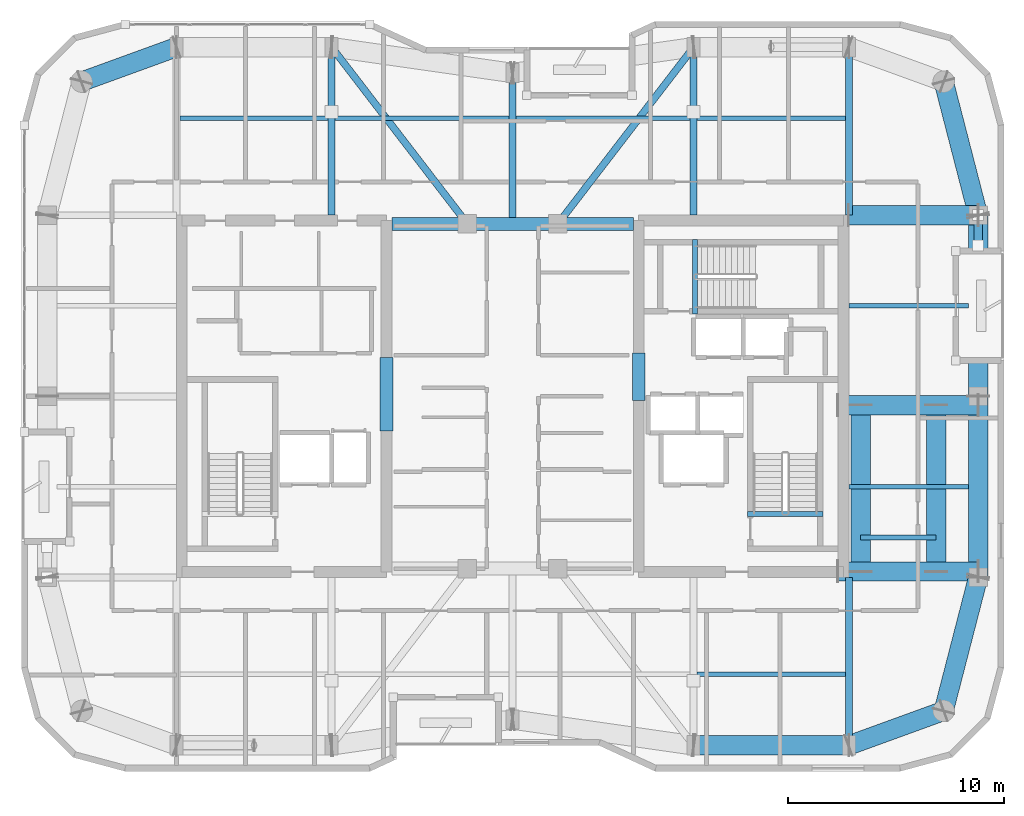
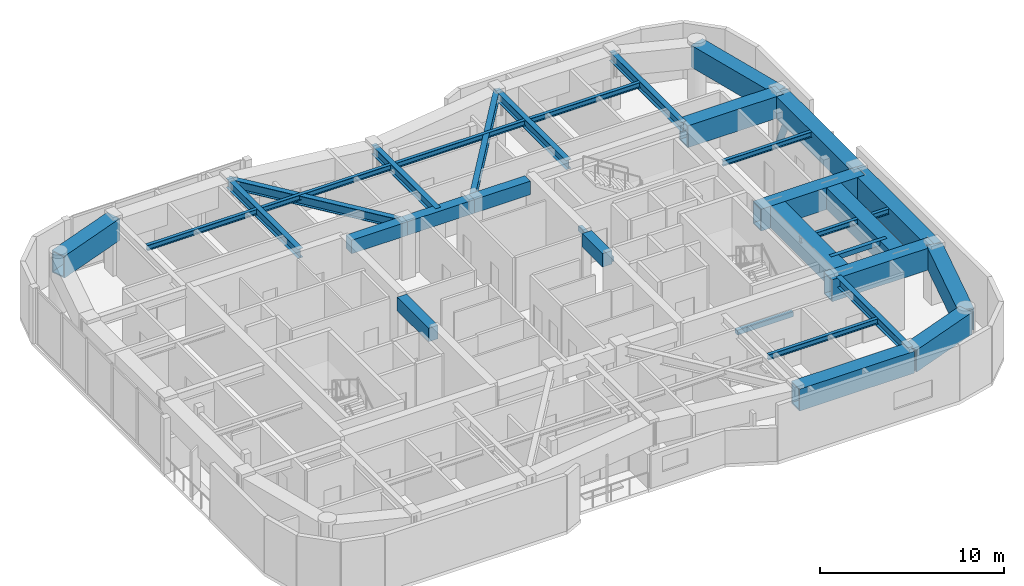
# One storey, part 5 of 16: 34 beams, 1 member.
"""IFC4 building model written with IfcOpenShell, lengths in metres."""

from ifc_helpers import new_model, si_unit, direction, frame, origin, origin_2d, place, context, subcontext, project, spatial, rectangle, hollow_rectangle, hollow_circle, i_section, extrude, material, material_profile, profile_set, type_object, element, save


model = new_model("IFC4")

# Units and contexts
model_context = context("Model", 3, precision=1e-05, world=origin(), true_north=direction((0.0, 1.0)))
body_context = subcontext(model_context, "Body", "Model", "MODEL_VIEW")
ifc_project = project(units=[si_unit("LENGTHUNIT", "METRE"), si_unit("AREAUNIT", "SQUARE_METRE"), si_unit("VOLUMEUNIT", "CUBIC_METRE"), si_unit("PLANEANGLEUNIT", "RADIAN"), si_unit("MASSUNIT", "GRAM", prefix="KILO")], contexts=[model_context])

# Site, building, storey
site_placement = place(None, origin())
site = spatial("IfcSite", under=ifc_project, at=site_placement, CompositionType="ELEMENT")
building_placement = place(site_placement, origin())
building = spatial("IfcBuilding", under=site, at=building_placement, Name="Kiyonajd Concourse Tower", CompositionType="ELEMENT")
storey_placement = place(building_placement, frame((0.0, 0.0, 346.5)))
storey = spatial("IfcBuildingStorey", under=building, at=storey_placement, Name="L87", CompositionType="ELEMENT", Elevation=346.5)

# Beams
ifc_material_1 = material(Name="Concrete C60/75", Category="concrete")
ifc_material_profile_1 = material_profile(ifc_material_1, rectangle(XDim=0.60009765625, YDim=0.89990234375, at=origin_2d()), Name="RCBM-600x900")
ifc_profile_set_1 = profile_set([ifc_material_profile_1], Name="Concrete C60/75")
beam_type_1 = type_object("IfcBeamType", Name="BM-COUP-900", PredefinedType="LINTEL", material=ifc_profile_set_1)
beam_1_placement = place(storey_placement, frame((42.39990234375, 44.0, 3.22998046875), z_axis=(1.0, 0.0, 0.0), x_axis=(0.0, 1.0, 0.0)))
element("IfcBeam", 1, at=beam_1_placement, inside=storey, type_object=beam_type_1, Name="L87 Core Coupling Beam N1", PredefinedType="LINTEL", context=body_context, shape_type="SweptSolid", body=[
    extrude(rectangle(XDim=0.60009765625, YDim=0.89990234375, at=origin_2d()), origin(), (0.0, 0.0, 1.0), 3.5),
])
beam_2_placement = place(storey_placement, frame((45.89990234375, 44.0, 3.22998046875), z_axis=(1.0, 0.0, 0.0), x_axis=(0.0, 1.0, 0.0)))
element("IfcBeam", 2, at=beam_2_placement, inside=storey, type_object=beam_type_1, Name="L87 Core Coupling Beam N2", PredefinedType="LINTEL", context=body_context, shape_type="SweptSolid", body=[
    extrude(rectangle(XDim=0.60009765625, YDim=0.89990234375, at=origin_2d()), origin(), (0.0, 0.0, 1.0), 4.2001953125),
])
beam_3_placement = place(storey_placement, frame((50.10009765625, 44.0, 3.22998046875), z_axis=(1.0, 0.0, 0.0), x_axis=(0.0, 1.0, 0.0)))
element("IfcBeam", 3, at=beam_3_placement, inside=storey, type_object=beam_type_1, Name="L87 Core Coupling Beam N3", PredefinedType="LINTEL", context=body_context, shape_type="SweptSolid", body=[
    extrude(rectangle(XDim=0.60009765625, YDim=0.89990234375, at=origin_2d()), origin(), (0.0, 0.0, 1.0), 3.5),
])
beam_4_placement = place(storey_placement, frame((42.14990234375, 34.39990234375, 3.22998046875), z_axis=(0.0, 1.0, 0.0), x_axis=(-1.0, 0.0, 0.0)))
element("IfcBeam", 4, at=beam_4_placement, inside=storey, type_object=beam_type_1, Name="L87 West Core Throat Coupling Lintel", PredefinedType="LINTEL", context=body_context, shape_type="SweptSolid", body=[
    extrude(rectangle(XDim=0.60009765625, YDim=0.89990234375, at=origin_2d()), origin(), (0.0, 0.0, 1.0), 3.400146484375),
])
beam_5_placement = place(storey_placement, frame((53.85009765625, 35.800048828125, 3.22998046875), z_axis=(0.0, 1.0, 0.0), x_axis=(-1.0, 0.0, 0.0)))
element("IfcBeam", 5, at=beam_5_placement, inside=storey, type_object=beam_type_1, Name="L87 East Core Throat Coupling Lintel", PredefinedType="LINTEL", context=body_context, shape_type="SweptSolid", body=[
    extrude(rectangle(XDim=0.60009765625, YDim=0.89990234375, at=origin_2d()), origin(), (0.0, 0.0, 1.0), 2.199951171875),
])
ifc_material_2 = material(Name="Steel ASTM A992 Grade 50", Category="steel")
ifc_material_profile_2 = material_profile(ifc_material_2, i_section(OverallWidth=0.205078125, OverallDepth=0.35400390625, WebThickness=0.009521484375, FlangeThickness=0.016845703125, at=origin_2d()), Name="W360X79")
ifc_profile_set_2 = profile_set([ifc_material_profile_2], Name="Steel ASTM A992 Grade 50")
beam_type_2 = type_object("IfcBeamType", Name="BM-JST-360", PredefinedType="JOIST", material=ifc_profile_set_2)
for number, where, z_axis, x_axis, name in (
    (6, (56.56201171875, 23.10009765625, 3.5029296875), (1.0, 0.0, 0.0), (0.0, 1.0, 0.0), "L87 Secondary Floor Joist"),
    (7, (32.56201171875, 48.89990234375, 3.5029296875), (1.0, 0.0, 0.0), (0.0, 1.0, 0.0), "L87 Secondary Floor Joist"),
):
    element("IfcBeam", number, at=place(storey_placement, frame(where, z_axis=z_axis, x_axis=x_axis)), inside=storey, type_object=beam_type_2, Name=name, PredefinedType="JOIST", context=body_context, shape_type="SweptSolid", body=[
        extrude(i_section(OverallWidth=0.205078125, OverallDepth=0.35400390625, WebThickness=0.009521484375, FlangeThickness=0.016845703125, at=origin_2d()), origin(), (0.0, 0.0, 1.0), 6.8759765625),
    ])
for number, where, z_axis, x_axis, name in (
    (8, (39.761962890625, 48.89990234375, 3.5029296875), (1.0, 0.0, 0.0), (0.0, 1.0, 0.0), "L87 Secondary Floor Joist"),
    (9, (48.162109375, 48.89990234375, 3.5029296875), (1.0, 0.0, 0.0), (0.0, 1.0, 0.0), "L87 Secondary Floor Joist"),
):
    element("IfcBeam", number, at=place(storey_placement, frame(where, z_axis=z_axis, x_axis=x_axis)), inside=storey, type_object=beam_type_2, Name=name, PredefinedType="JOIST", context=body_context, shape_type="SweptSolid", body=[
        extrude(i_section(OverallWidth=0.205078125, OverallDepth=0.35400390625, WebThickness=0.009521484375, FlangeThickness=0.016845703125, at=origin_2d()), origin(), (0.0, 0.0, 1.0), 8.075927734375),
    ])
beam_6_placement = place(storey_placement, frame((56.56201171875, 48.89990234375, 3.5029296875), z_axis=(1.0, 0.0, 0.0), x_axis=(0.0, 1.0, 0.0)))
element("IfcBeam", 10, at=beam_6_placement, inside=storey, type_object=beam_type_2, Name="L87 Secondary Floor Joist", PredefinedType="JOIST", context=body_context, shape_type="SweptSolid", body=[
    extrude(i_section(OverallWidth=0.205078125, OverallDepth=0.35400390625, WebThickness=0.009521484375, FlangeThickness=0.016845703125, at=origin_2d()), origin(), (0.0, 0.0, 1.0), 6.8759765625),
])
for number, where, z_axis, x_axis, name in (
    (11, (63.60009765625, 31.800048828125, 3.5029296875), (1.0, 0.0, 0.0), (0.0, 1.0, 0.0), "L87 East Secondary Floor Joist"),
    (12, (63.60009765625, 40.199951171875, 3.5029296875), (1.0, 0.0, 0.0), (0.0, 1.0, 0.0), "L87 East Secondary Floor Joist"),
):
    element("IfcBeam", number, at=place(storey_placement, frame(where, z_axis=z_axis, x_axis=x_axis)), inside=storey, type_object=beam_type_2, Name=name, PredefinedType="JOIST", context=body_context, shape_type="SweptSolid", body=[
        extrude(i_section(OverallWidth=0.205078125, OverallDepth=0.35400390625, WebThickness=0.009521484375, FlangeThickness=0.016845703125, at=origin_2d()), origin(), (0.0, 0.0, 1.0), 5.5498046875),
    ])
ifc_material_3 = material(Name="Concrete C50/60", Category="concrete")
ifc_material_profile_3 = material_profile(ifc_material_3, rectangle(XDim=0.239990234375, YDim=0.320068359375, at=origin_2d()), Name="RCBM-240x320")
ifc_profile_set_3 = profile_set([ifc_material_profile_3], Name="Concrete C50/60")
beam_type_3 = type_object("IfcBeamType", Name="BM-LNT-250", PredefinedType="LINTEL", material=ifc_profile_set_3)
beam_7_placement = place(storey_placement, frame((58.889892578125, 30.530029296875, -0.159912109375), z_axis=(1.0, 0.0, 0.0), x_axis=(0.0, 1.0, 0.0)))
element("IfcBeam", 13, at=beam_7_placement, inside=storey, type_object=beam_type_3, Name="L87 Stair ST2 Threshold Support Beam", PredefinedType="LINTEL", context=body_context, shape_type="SweptSolid", body=[
    extrude(rectangle(XDim=0.239990234375, YDim=0.320068359375, at=origin_2d()), origin(), (0.0, 0.0, 1.0), 3.52001953125),
])
beam_8_placement = place(storey_placement, frame((56.4599609375, 39.820068359375, -0.159912109375), z_axis=(0.0, 1.0, 0.0), x_axis=(-1.0, 0.0, 0.0)))
element("IfcBeam", 14, at=beam_8_placement, inside=storey, type_object=beam_type_3, Name="L87 Stair ST3 Threshold Support Beam", PredefinedType="LINTEL", context=body_context, shape_type="SweptSolid", body=[
    extrude(rectangle(XDim=0.239990234375, YDim=0.320068359375, at=origin_2d()), origin(), (0.0, 0.0, 1.0), 3.4599609375),
])
beam_9_placement = place(storey_placement, frame((64.14990234375, 29.449951171875, 3.52001953125), z_axis=(1.0, 0.0, 0.0), x_axis=(0.0, 1.0, 0.0)))
element("IfcBeam", 15, at=beam_9_placement, inside=storey, type_object=beam_type_3, Name="L88 Stair ST6 Departure Support Beam", PredefinedType="LINTEL", context=body_context, shape_type="SweptSolid", body=[
    extrude(rectangle(XDim=0.239990234375, YDim=0.320068359375, at=origin_2d()), origin(), (0.0, 0.0, 1.0), 3.5),
])
ifc_material_profile_4 = material_profile(ifc_material_2, i_section(OverallWidth=0.326904296875, OverallDepth=0.6220703125, WebThickness=0.015380859375, FlangeThickness=0.0244140625, at=origin_2d()), Name="W610X195")
ifc_profile_set_4 = profile_set([ifc_material_profile_4], Name="Steel ASTM A992 Grade 50")
beam_type_4 = type_object("IfcBeamType", Name="BM-TWR-610A", PredefinedType="BEAM", material=ifc_profile_set_4)
for number, where, z_axis, x_axis, name in (
    (16, (39.60009765625, 52.199951171875, 3.368896484375), (0.609233709922, -0.792990722956, 0.0), (0.792990722956, 0.609233709922, 0.0), "L87 Core Tie Girder"),
    (17, (50.10009765625, 44.0, 3.368896484375), (0.609233709922, 0.792990722956, 0.0), (-0.792990722956, 0.609233709922, 0.0), "L87 Core Tie Girder"),
):
    element("IfcBeam", number, at=place(storey_placement, frame(where, z_axis=z_axis, x_axis=x_axis)), inside=storey, type_object=beam_type_4, Name=name, PredefinedType="BEAM", context=body_context, shape_type="SweptSolid", body=[
        extrude(i_section(OverallWidth=0.326904296875, OverallDepth=0.6220703125, WebThickness=0.015380859375, FlangeThickness=0.0244140625, at=origin_2d()), origin(), (0.0, 0.0, 1.0), 10.340576171875),
    ])
ifc_material_profile_5 = material_profile(ifc_material_2, i_section(OverallWidth=0.323974609375, OverallDepth=0.611083984375, WebThickness=0.0126953125, FlangeThickness=0.01904296875, at=origin_2d()), Name="W610X155")
ifc_profile_set_5 = profile_set([ifc_material_profile_5], Name="Steel ASTM A992 Grade 50")
beam_type_5 = type_object("IfcBeamType", Name="BM-TWR-610B", PredefinedType="BEAM", material=ifc_profile_set_5)
for number, where, z_axis, x_axis, name in (
    (18, (39.60009765625, 44.39990234375, 3.37451171875), (0.0, 1.0, 0.0), (-1.0, 0.0, 0.0), "L87 North Lease Girder"),
    (19, (56.39990234375, 44.39990234375, 3.37451171875), (0.0, 1.0, 0.0), (-1.0, 0.0, 0.0), "L87 North Lease Girder"),
    (20, (63.60009765625, 19.800048828125, 3.37451171875), (0.0, 1.0, 0.0), (-1.0, 0.0, 0.0), "L87 South Lease Girder"),
    (21, (63.60009765625, 44.39990234375, 3.37451171875), (0.0, 1.0, 0.0), (-1.0, 0.0, 0.0), "L87 North Lease Girder"),
):
    element("IfcBeam", number, at=place(storey_placement, frame(where, z_axis=z_axis, x_axis=x_axis)), inside=storey, type_object=beam_type_5, Name=name, PredefinedType="BEAM", context=body_context, shape_type="SweptSolid", body=[
        extrude(i_section(OverallWidth=0.323974609375, OverallDepth=0.611083984375, WebThickness=0.0126953125, FlangeThickness=0.01904296875, at=origin_2d()), origin(), (0.0, 0.0, 1.0), 7.800048828125),
    ])
beam_10_placement = place(storey_placement, frame((48.0, 44.0, 3.37451171875), z_axis=(0.0, 1.0, 0.0), x_axis=(-1.0, 0.0, 0.0)))
element("IfcBeam", 22, at=beam_10_placement, inside=storey, type_object=beam_type_5, Name="L87 North Ribbon Girder", PredefinedType="BEAM", context=body_context, shape_type="SweptSolid", body=[
    extrude(i_section(OverallWidth=0.323974609375, OverallDepth=0.611083984375, WebThickness=0.0126953125, FlangeThickness=0.01904296875, at=origin_2d()), origin(), (0.0, 0.0, 1.0), 7.0),
])
ifc_material_4 = material(Name="Steel ASTM A572 Grade 50", Category="steel")
ifc_material_profile_6 = material_profile(ifc_material_4, hollow_rectangle(XDim=0.89990234375, YDim=1.449951171875, WallThickness=0.074951171875, at=origin_2d()), Name="BOX-1450x900x75")
ifc_profile_set_6 = profile_set([ifc_material_profile_6], Name="Steel ASTM A572 Grade 50")
beam_type_6 = type_object("IfcBeamType", Name="BM-XFER-1800", PredefinedType="BEAM", material=ifc_profile_set_6)
beam_11_placement = place(storey_placement, frame((69.60009765625, 27.60009765625, 2.955078125), z_axis=(0.0, 1.0, 0.0), x_axis=(-1.0, 0.0, 0.0)))
element("IfcBeam", 23, at=beam_11_placement, inside=storey, type_object=beam_type_6, Name="L87 Stair ST6 East Column Header Girder", PredefinedType="BEAM", context=body_context, shape_type="SweptSolid", body=[
    extrude(hollow_rectangle(XDim=0.89990234375, YDim=1.449951171875, WallThickness=0.074951171875, at=origin_2d()), origin(), (0.0, 0.0, 1.0), 8.39990234375),
])
for number, where, z_axis, x_axis, name in (
    (24, (63.10009765625, 27.8701171875, 2.955078125), (1.0, 0.0, 0.0), (0.0, 1.0, 0.0), "L87 Stair ST6 South Transfer Girder"),
    (25, (63.10009765625, 35.580078125, 2.955078125), (1.0, 0.0, 0.0), (0.0, 1.0, 0.0), "L87 Stair ST6 North Transfer Girder"),
):
    element("IfcBeam", number, at=place(storey_placement, frame(where, z_axis=z_axis, x_axis=x_axis)), inside=storey, type_object=beam_type_6, Name=name, PredefinedType="BEAM", context=body_context, shape_type="SweptSolid", body=[
        extrude(hollow_rectangle(XDim=0.89990234375, YDim=1.449951171875, WallThickness=0.074951171875, at=origin_2d()), origin(), (0.0, 0.0, 1.0), 6.5),
    ])
for number, where, z_axis, x_axis, name in (
    (26, (64.14990234375, 27.8701171875, 2.955078125), (0.0, 1.0, 0.0), (-1.0, 0.0, 0.0), "L87 Stair ST6 West Wall Transfer Girder"),
    (27, (67.64990234375, 27.8701171875, 2.955078125), (0.0, 1.0, 0.0), (-1.0, 0.0, 0.0), "L87 Stair ST6 East Wall Transfer Girder"),
):
    element("IfcBeam", number, at=place(storey_placement, frame(where, z_axis=z_axis, x_axis=x_axis)), inside=storey, type_object=beam_type_6, Name=name, PredefinedType="BEAM", context=body_context, shape_type="SweptSolid", body=[
        extrude(hollow_rectangle(XDim=0.89990234375, YDim=1.449951171875, WallThickness=0.074951171875, at=origin_2d()), origin(), (0.0, 0.0, 1.0), 7.7099609375),
    ])
beam_12_placement = place(storey_placement, frame((56.39990234375, 19.800048828125, 2.955078125), z_axis=(1.0, 0.0, 0.0), x_axis=(0.0, 1.0, 0.0)))
element("IfcBeam", 28, at=beam_12_placement, inside=storey, type_object=beam_type_6, Name="L87 Perimeter Bundled Tube Spandrel", PredefinedType="BEAM", context=body_context, shape_type="SweptSolid", body=[
    extrude(hollow_rectangle(XDim=0.89990234375, YDim=1.449951171875, WallThickness=0.074951171875, at=origin_2d()), origin(), (0.0, 0.0, 1.0), 7.2001953125),
])
beam_13_placement = place(storey_placement, frame((63.60009765625, 19.800048828125, 2.955078125), z_axis=(0.939801036019, 0.341722127901, 0.0), x_axis=(-0.341722127901, 0.939801036019, 0.0)))
element("IfcBeam", 29, at=beam_13_placement, inside=storey, type_object=beam_type_6, Name="L87 Perimeter Bundled Tube Spandrel", PredefinedType="BEAM", context=body_context, shape_type="SweptSolid", body=[
    extrude(hollow_rectangle(XDim=0.89990234375, YDim=1.449951171875, WallThickness=0.074951171875, at=origin_2d()), origin(), (0.0, 0.0, 1.0), 4.681640625),
])
beam_14_placement = place(storey_placement, frame((68.0, 21.39990234375, 2.955078125), z_axis=(0.249884937687, 0.968275538221, 0.0), x_axis=(-0.968275538221, 0.249884937687, 0.0)))
element("IfcBeam", 30, at=beam_14_placement, inside=storey, type_object=beam_type_6, Name="L87 Perimeter Bundled Tube Spandrel", PredefinedType="BEAM", context=body_context, shape_type="SweptSolid", body=[
    extrude(hollow_rectangle(XDim=0.89990234375, YDim=1.449951171875, WallThickness=0.074951171875, at=origin_2d()), origin(), (0.0, 0.0, 1.0), 6.4033203125),
])
beam_15_placement = place(storey_placement, frame((69.60009765625, 36.0, 2.955078125), z_axis=(0.0, 1.0, 0.0), x_axis=(-1.0, 0.0, 0.0)))
element("IfcBeam", 31, at=beam_15_placement, inside=storey, type_object=beam_type_6, Name="L87 Perimeter Bundled Tube Spandrel", PredefinedType="BEAM", context=body_context, shape_type="SweptSolid", body=[
    extrude(hollow_rectangle(XDim=0.89990234375, YDim=1.449951171875, WallThickness=0.074951171875, at=origin_2d()), origin(), (0.0, 0.0, 1.0), 8.39990234375),
])
beam_16_placement = place(storey_placement, frame((69.60009765625, 44.39990234375, 2.955078125), z_axis=(-0.249884937687, 0.968275538221, 0.0), x_axis=(-0.968275538221, -0.249884937687, 0.0)))
element("IfcBeam", 32, at=beam_16_placement, inside=storey, type_object=beam_type_6, Name="L87 Perimeter Bundled Tube Spandrel", PredefinedType="BEAM", context=body_context, shape_type="SweptSolid", body=[
    extrude(hollow_rectangle(XDim=0.89990234375, YDim=1.449951171875, WallThickness=0.074951171875, at=origin_2d()), origin(), (0.0, 0.0, 1.0), 6.4033203125),
])
beam_17_placement = place(storey_placement, frame((32.39990234375, 52.199951171875, 2.955078125), z_axis=(-0.939801036019, -0.341722127901, 0.0), x_axis=(0.341722127901, -0.939801036019, 0.0)))
element("IfcBeam", 33, at=beam_17_placement, inside=storey, type_object=beam_type_6, Name="L87 Perimeter Bundled Tube Spandrel", PredefinedType="BEAM", context=body_context, shape_type="SweptSolid", body=[
    extrude(hollow_rectangle(XDim=0.89990234375, YDim=1.449951171875, WallThickness=0.074951171875, at=origin_2d()), origin(), (0.0, 0.0, 1.0), 4.681640625),
])
beam_18_placement = place(storey_placement, frame((63.60009765625, 44.39990234375, 2.955078125), z_axis=(1.0, 0.0, 0.0), x_axis=(0.0, 1.0, 0.0)))
element("IfcBeam", 34, at=beam_18_placement, inside=storey, type_object=beam_type_6, Name="L87 East Lease Girder", PredefinedType="BEAM", context=body_context, shape_type="SweptSolid", body=[
    extrude(hollow_rectangle(XDim=0.89990234375, YDim=1.449951171875, WallThickness=0.074951171875, at=origin_2d()), origin(), (0.0, 0.0, 1.0), 6.0),
])

# Member
ifc_material_5 = material(Name="Steel ASTM A500 Grade C", Category="steel")
ifc_material_profile_7 = material_profile(ifc_material_5, hollow_circle(Radius=0.202880859375, WallThickness=0.01904296875, at=origin_2d()), Name="CHS-406x19")
ifc_profile_set_7 = profile_set([ifc_material_profile_7], Name="Steel ASTM A500 Grade C")
member_type = type_object("IfcMemberType", Name="MB-PB-HIGH", PredefinedType="BRACE", material=ifc_profile_set_7)
member_placement = place(storey_placement, frame((69.60009765625, 44.39990234375, 0.300048828125), z_axis=(0.0, -0.419410666774, 0.907796614114), x_axis=(1.0, 0.0, 0.0)))
element("IfcMember", 35, at=member_placement, inside=storey, type_object=member_type, Name="L87 Upper Zone Hollow Tube Brace PBE", PredefinedType="BRACE", context=body_context, shape_type="SweptSolid", body=[
    extrude(hollow_circle(Radius=0.202880859375, WallThickness=0.01904296875, at=origin_2d()), origin(), (0.0, 0.0, 1.0), 3.337890625),
])

save(model, "model.ifc")
